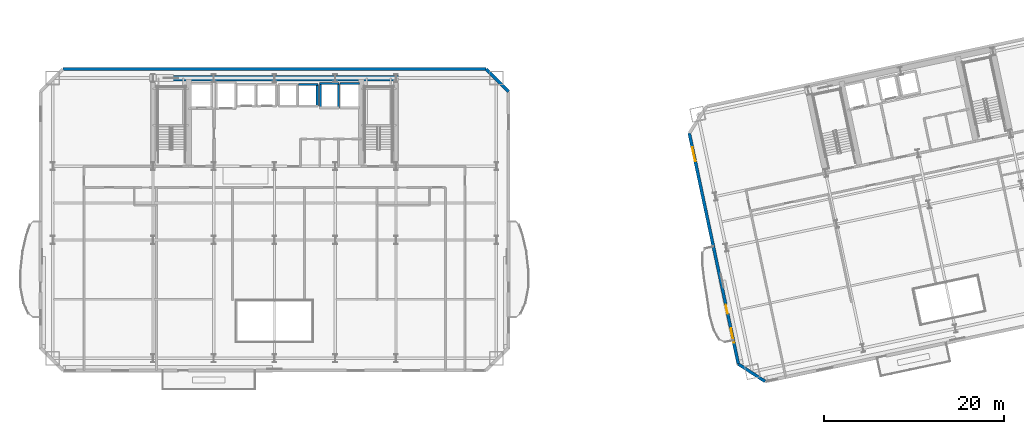
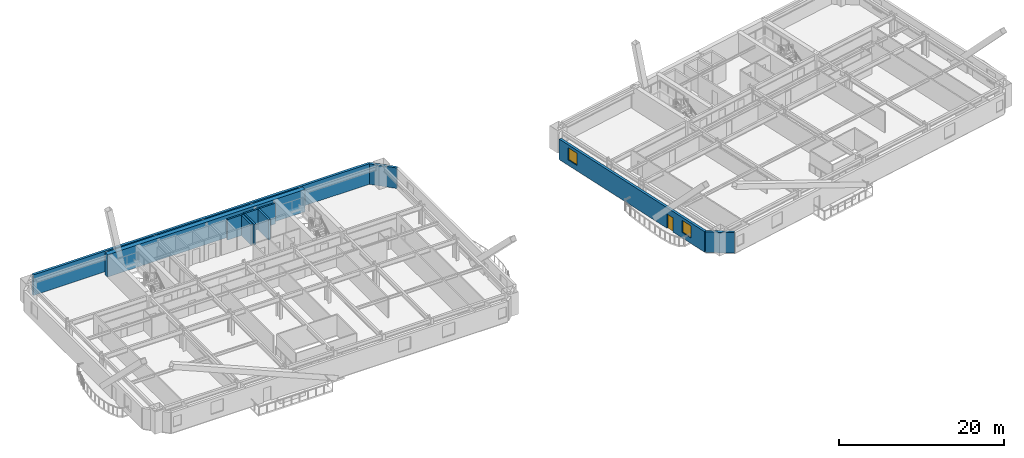
# One storey, part 7 of 18: 11 walls, 2 windows, 1 door, 3 openings.
"""IFC4 building model written with IfcOpenShell, lengths in metres."""

from ifc_helpers import new_model, si_unit, direction, frame, frame_2d, origin, place, context, subcontext, project, spatial, rectangle, extrude, material, layer, layer_set, type_object, element, fill, save


model = new_model("IFC4")

# Units and contexts
model_context = context("Model", 3, precision=1e-05, world=origin(), true_north=direction((0.0, 1.0)))
body_context = subcontext(model_context, "Body", "Model", "MODEL_VIEW")
ifc_project = project(units=[si_unit("LENGTHUNIT", "METRE"), si_unit("AREAUNIT", "SQUARE_METRE"), si_unit("VOLUMEUNIT", "CUBIC_METRE"), si_unit("PLANEANGLEUNIT", "RADIAN"), si_unit("MASSUNIT", "GRAM", prefix="KILO")], contexts=[model_context])

# Site, building, storey
site_placement = place(None, origin())
site = spatial("IfcSite", under=ifc_project, at=site_placement, CompositionType="ELEMENT")
building_placement = place(site_placement, origin())
building = spatial("IfcBuilding", under=site, at=building_placement, Name="Haevon Station Towers", CompositionType="ELEMENT")
storey_placement = place(building_placement, frame((0.0, 0.0, 60.300048828125)))
storey = spatial("IfcBuildingStorey", under=building, at=storey_placement, Name="L15", CompositionType="ELEMENT", Elevation=60.300048828125)

# Walls
ifc_material_1 = material(Name="Concrete C60/75", Category="concrete")
ifc_layer_1 = layer(ifc_material_1, 0.60009765625)
ifc_layer_set_1 = layer_set([ifc_layer_1], Name="Concrete C60/75")
wall_type_1 = type_object("IfcWallType", Name="WL-CR600", PredefinedType="SHEAR", material=ifc_layer_set_1)
wall_1_placement = place(storey_placement, frame((23.699951171875, 48.0, 0.0), z_axis=(0.0, 0.0, 1.0), x_axis=(1.0, 0.0, 0.0)))
element("IfcWall", 1, at=wall_1_placement, inside=storey, type_object=wall_type_1, Name="WL-T1CR-L15-N", PredefinedType="SHEAR", context=body_context, shape_type="SweptSolid", body=[
    extrude(rectangle(XDim=27.60009765625, YDim=0.60009765625, at=frame_2d((13.800048828125, 0.0))), origin(), (0.0, 0.0, 1.0), 3.300048828125),
])
ifc_material_2 = material(Name="Precast concrete C45/55", Category="concrete")
ifc_layer_2 = layer(ifc_material_2, 0.340087890625)
ifc_layer_set_2 = layer_set([ifc_layer_2], Name="Precast concrete C45/55")
wall_type_2 = type_object("IfcWallType", Name="WL-EXT-PIER340", PredefinedType="SOLIDWALL", material=ifc_layer_set_2)
wall_2_placement = place(storey_placement, frame((14.0, 49.0, 0.0), z_axis=(0.0, 0.0, 1.0), x_axis=(1.0, 0.0, 0.0)))
element("IfcWall", 2, at=wall_2_placement, inside=storey, type_object=wall_type_2, Name="WL-T1-L15-N", PredefinedType="SOLIDWALL", context=body_context, shape_type="SweptSolid", body=[
    extrude(rectangle(XDim=47.0, YDim=0.340087890625, at=frame_2d((23.5, 0.0))), origin(), (0.0, 0.0, 1.0), 3.030029296875),
])
wall_3_placement = place(storey_placement, frame((61.0, 49.0, 0.0), z_axis=(0.0, 0.0, 1.0), x_axis=(0.707106781187, -0.707106781187, 0.0)))
element("IfcWall", 3, at=wall_3_placement, inside=storey, type_object=wall_type_2, Name="WL-T1-L15-NEC", PredefinedType="SOLIDWALL", context=body_context, shape_type="SweptSolid", body=[
    extrude(rectangle(XDim=3.53564453125, YDim=0.340087890625, at=frame_2d((1.767822265625, 0.0))), origin(), (0.0, 0.0, 1.0), 3.030029296875),
])
wall_4_placement = place(storey_placement, frame((92.01953125, 14.28662109375, 0.0), z_axis=(0.0, 0.0, 1.0), x_axis=(-0.838672309694, 0.544636352948, 0.0)))
element("IfcWall", 4, at=wall_4_placement, inside=storey, type_object=wall_type_2, Name="WL-T2-L15-SWC", PredefinedType="SOLIDWALL", context=body_context, shape_type="SweptSolid", body=[
    extrude(rectangle(XDim=3.535400390625, YDim=0.340087890625, at=frame_2d((1.767578125, 0.0))), origin(), (0.0, 0.0, 1.0), 3.030029296875),
])

# Wall, openings, door, windows
wall_5_placement = place(storey_placement, frame((89.054443359375, 16.212158203125, 0.0), z_axis=(0.0, 0.0, 1.0), x_axis=(-0.207915485254, 0.978146794194, 0.0)))
wall_5 = element("IfcWall", 5, at=wall_5_placement, inside=storey, type_object=wall_type_2, Name="WL-T2-L15-W", PredefinedType="SOLIDWALL", context=body_context, shape_type="SweptSolid", body=[
    extrude(rectangle(XDim=26.25, YDim=0.340087890625, at=frame_2d((13.125, 0.0))), origin(), (0.0, 0.0, 1.0), 3.030029296875),
])
opening_1_placement = place(wall_5_placement, frame((5.699951171875, 0.0, 0.0)))
opening_1 = element("IfcOpeningElement", 6, at=opening_1_placement, cuts=wall_5, Name="Opening DR-T2-SCAL-L15-W", PredefinedType="OPENING", context=body_context, shape_type="SweptSolid", body=[
    extrude(rectangle(XDim=1.050048828125, YDim=2.10009765625, at=frame_2d((0.52490234375, 1.050048828125))), frame((0.0, 0.179931640625, 0.0), z_axis=(0.0, -1.0, 0.0), x_axis=(1.0, 0.0, 0.0)), (0.0, 0.0, 1.0), 0.360107421875),
])
opening_2_placement = place(wall_5_placement, frame((2.4462890625, 0.0, 0.800048828125)))
opening_2 = element("IfcOpeningElement", 7, at=opening_2_placement, cuts=wall_5, Name="Opening WN-END160", PredefinedType="OPENING", context=body_context, shape_type="SweptSolid", body=[
    extrude(rectangle(XDim=1.60009765625, YDim=1.800048828125, at=frame_2d((0.800048828125, 0.89990234375))), frame((0.0, 0.179931640625, 0.0), z_axis=(0.0, -1.0, 0.0), x_axis=(1.0, 0.0, 0.0)), (0.0, 0.0, 1.0), 0.360107421875),
])
opening_3_placement = place(wall_5_placement, frame((23.02685546875, 0.0, 0.800048828125)))
opening_3 = element("IfcOpeningElement", 8, at=opening_3_placement, cuts=wall_5, Name="Opening WN-END160", PredefinedType="OPENING", context=body_context, shape_type="SweptSolid", body=[
    extrude(rectangle(XDim=1.60009765625, YDim=1.800048828125, at=frame_2d((0.800048828125, 0.89990234375))), frame((0.0, 0.179931640625, 0.0), z_axis=(0.0, -1.0, 0.0), x_axis=(1.0, 0.0, 0.0)), (0.0, 0.0, 1.0), 0.360107421875),
])
ifc_material_3 = material(Name="Thermally broken anodised aluminium and laminated safety glass", Category="aluminium")
door_type = type_object("IfcDoorType", Name="DR-BALC-1050", OperationType="NOTDEFINED", PredefinedType="DOOR", material=ifc_material_3)
door_placement = place(opening_1_placement, origin())
door = element("IfcDoor", 9, at=door_placement, inside=storey, type_object=door_type, Name="Tower 2 L15 West Scalloped Balcony Door", OperationType="SINGLE_SWING_LEFT", OverallHeight=2.10009765625, OverallWidth=1.050048828125, PredefinedType="DOOR", context=body_context, shape_type="SweptSolid", body=[
    extrude(rectangle(XDim=1.050048828125, YDim=2.10009765625, at=frame_2d((0.52490234375, 1.050048828125))), frame((0.0, 0.02490234375, 0.0), z_axis=(0.0, -1.0, 0.0), x_axis=(1.0, 0.0, 0.0)), (0.0, 0.0, 1.0), 0.050048828125),
])
fill(opening_1, door)
ifc_material_4 = material(Name="Low-E triple glazing in thermally broken aluminium", Category="aluminium")
window_type = type_object("IfcWindowType", Name="WN-END160", PartitioningType="SINGLE_PANEL", PredefinedType="WINDOW", material=ifc_material_4)
window_1_placement = place(opening_2_placement, origin())
window_1 = element("IfcWindow", 10, at=window_1_placement, inside=storey, type_object=window_type, Name="WN-T2-L15-W01", OverallHeight=1.800048828125, OverallWidth=1.60009765625, PartitioningType="SINGLE_PANEL", PredefinedType="WINDOW", context=body_context, shape_type="SweptSolid", body=[
    extrude(rectangle(XDim=1.60009765625, YDim=1.800048828125, at=frame_2d((0.800048828125, 0.89990234375))), frame((0.0, 0.030029296875, 0.0), z_axis=(0.0, -1.0, 0.0), x_axis=(1.0, 0.0, 0.0)), (0.0, 0.0, 1.0), 0.06005859375),
])
fill(opening_2, window_1)
window_2_placement = place(opening_3_placement, origin())
window_2 = element("IfcWindow", 11, at=window_2_placement, inside=storey, type_object=window_type, Name="WN-T2-L15-W02", OverallHeight=1.800048828125, OverallWidth=1.60009765625, PartitioningType="SINGLE_PANEL", PredefinedType="WINDOW", context=body_context, shape_type="SweptSolid", body=[
    extrude(rectangle(XDim=1.60009765625, YDim=1.800048828125, at=frame_2d((0.800048828125, 0.89990234375))), frame((0.0, 0.030029296875, 0.0), z_axis=(0.0, -1.0, 0.0), x_axis=(1.0, 0.0, 0.0)), (0.0, 0.0, 1.0), 0.06005859375),
])
fill(opening_3, window_2)

# Walls
ifc_material_5 = material(Name="Concrete C40/50", Category="concrete")
ifc_layer_3 = layer(ifc_material_5, 0.239990234375)
ifc_layer_set_3 = layer_set([ifc_layer_3], Name="Concrete C40/50")
wall_type_3 = type_object("IfcWallType", Name="WL-SHF240", PredefinedType="PARTITIONING", material=ifc_layer_set_3)
wall_6_placement = place(storey_placement, frame((40.169921875, 47.300048828125, 0.0), z_axis=(0.0, 0.0, 1.0), x_axis=(1.0, 0.0, 0.0)))
element("IfcWall", 12, at=wall_6_placement, inside=storey, type_object=wall_type_3, Name="WL-SHF-PL4-L15-N", PredefinedType="PARTITIONING", context=body_context, shape_type="SweptSolid", body=[
    extrude(rectangle(XDim=2.16015625, YDim=0.239990234375, at=frame_2d((1.080078125, 0.0))), origin(), (0.0, 0.0, 1.0), 3.030029296875),
])
wall_7_placement = place(storey_placement, frame((42.25, 44.89990234375, 0.0), z_axis=(0.0, 0.0, 1.0), x_axis=(0.0, 1.0, 0.0)))
element("IfcWall", 13, at=wall_7_placement, inside=storey, type_object=wall_type_3, Name="WL-SHF-PL4-L15-E", PredefinedType="PARTITIONING", context=body_context, shape_type="SweptSolid", body=[
    extrude(rectangle(XDim=2.400146484375, YDim=0.239990234375, at=frame_2d((1.2001953125, 0.0))), origin(), (0.0, 0.0, 1.0), 3.030029296875),
])
wall_8_placement = place(storey_placement, frame((42.52001953125, 47.39990234375, 0.0), z_axis=(0.0, 0.0, 1.0), x_axis=(1.0, 0.0, 0.0)))
element("IfcWall", 14, at=wall_8_placement, inside=storey, type_object=wall_type_3, Name="WL-SHF-PL5-L15-N", PredefinedType="PARTITIONING", context=body_context, shape_type="SweptSolid", body=[
    extrude(rectangle(XDim=2.159912109375, YDim=0.239990234375, at=frame_2d((1.080078125, 0.0))), origin(), (0.0, 0.0, 1.0), 3.030029296875),
])
for number, where, z_axis, x_axis, name in (
    (15, (42.60009765625, 44.699951171875, 0.0), (0.0, 0.0, 1.0), (0.0, 1.0, 0.0), "WL-SHF-PL5-L15-W"),
    (16, (44.60009765625, 44.699951171875, 0.0), (0.0, 0.0, 1.0), (0.0, 1.0, 0.0), "WL-SHF-PL5-L15-E"),
):
    element("IfcWall", number, at=place(storey_placement, frame(where, z_axis=z_axis, x_axis=x_axis)), inside=storey, type_object=wall_type_3, Name=name, PredefinedType="PARTITIONING", context=body_context, shape_type="SweptSolid", body=[
        extrude(rectangle(XDim=2.699951171875, YDim=0.239990234375, at=frame_2d((1.35009765625, 0.0))), origin(), (0.0, 0.0, 1.0), 3.030029296875),
    ])
wall_9_placement = place(storey_placement, frame((44.77001953125, 47.39990234375, 0.0), z_axis=(0.0, 0.0, 1.0), x_axis=(1.0, 0.0, 0.0)))
element("IfcWall", 17, at=wall_9_placement, inside=storey, type_object=wall_type_3, Name="WL-SHF-PL6-L15-N", PredefinedType="PARTITIONING", context=body_context, shape_type="SweptSolid", body=[
    extrude(rectangle(XDim=2.159912109375, YDim=0.239990234375, at=frame_2d((1.080078125, 0.0))), origin(), (0.0, 0.0, 1.0), 3.030029296875),
])

save(model, "model.ifc")
